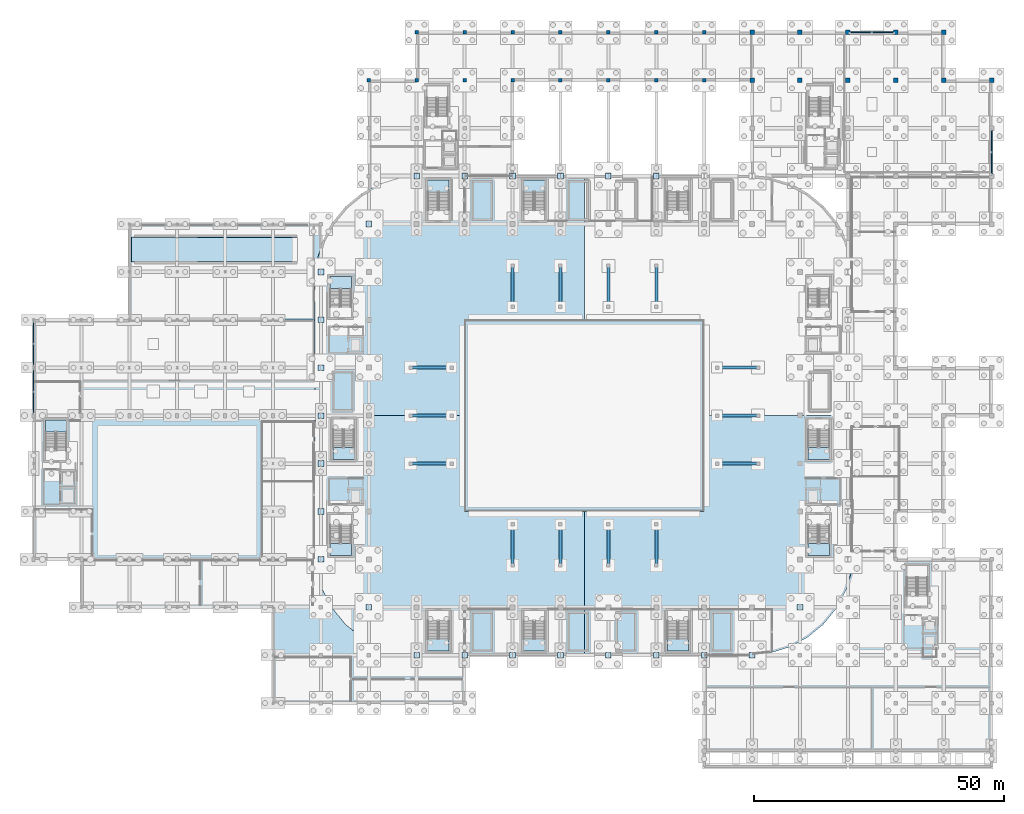
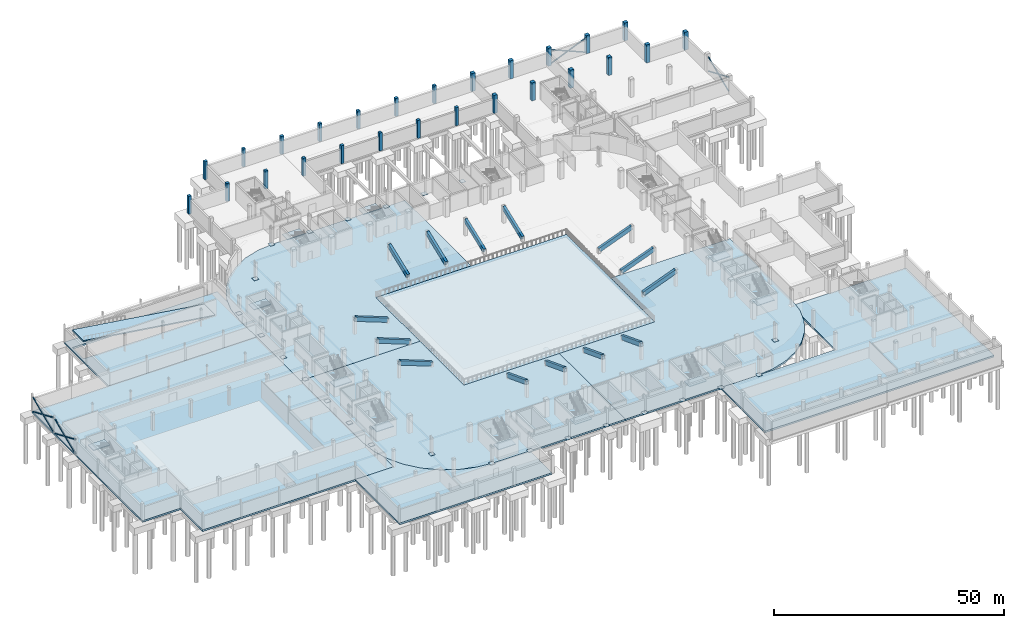
# One storey, part 22 of 67: 26 columns, 24 plates, 20 slabs, 14 beams, 12 members, 11 elements without a shape of their own.
"""IFC4 building model written with IfcOpenShell, lengths in metres."""

from ifc_helpers import new_model, si_unit, direction, frame, origin, origin_2d, place, context, subcontext, project, spatial, polyline, rectangle, hollow_rectangle, outline, extrude, material, layer, layer_set, material_profile, profile_set, type_object, element, aggregate, save


model = new_model("IFC4")

# Units and contexts
model_context = context("Model", 3, precision=1e-05, world=origin(), true_north=direction((0.0, 1.0)))
body_context = subcontext(model_context, "Body", "Model", "MODEL_VIEW")
ifc_project = project(units=[si_unit("LENGTHUNIT", "METRE"), si_unit("AREAUNIT", "SQUARE_METRE"), si_unit("VOLUMEUNIT", "CUBIC_METRE"), si_unit("PLANEANGLEUNIT", "RADIAN"), si_unit("MASSUNIT", "GRAM", prefix="KILO")], contexts=[model_context])

# Site, building, storey
site_placement = place(None, origin())
site = spatial("IfcSite", under=ifc_project, at=site_placement, CompositionType="ELEMENT")
building_placement = place(site_placement, origin())
building = spatial("IfcBuilding", under=site, at=building_placement, Name="Caelomonte Colonnade Arena", CompositionType="ELEMENT")
storey_placement = place(building_placement, frame((0.0, 0.0, -4.800048828125)))
storey = spatial("IfcBuildingStorey", under=building, at=storey_placement, Name="B1", CompositionType="ELEMENT", Elevation=-4.800048828125)

# Columns
ifc_material_1 = material(Name="Concrete C40/50", Category="concrete")
ifc_material_profile_1 = material_profile(ifc_material_1, rectangle(XDim=0.699951171875, YDim=0.699951171875, at=origin_2d()), Name="RC700X700")
ifc_profile_set_1 = profile_set([ifc_material_profile_1], Name="Concrete C40/50")
column_type_1 = type_object("IfcColumnType", Name="STR-COL-RC07", PredefinedType="COLUMN", material=ifc_profile_set_1)
for number, where, z_axis, x_axis, name in (
    (1, (67.199951171875, 134.39990234375, 0.0), (0.0, 0.0, 1.0), (1.0, 0.0, 0.0), "B1 column (67.2, 134.4)"),
    (2, (76.800048828125, 134.39990234375, 0.0), (0.0, 0.0, 1.0), (1.0, 0.0, 0.0), "B1 column (76.8, 134.4)"),
    (3, (76.800048828125, 144.0, 0.0), (0.0, 0.0, 1.0), (1.0, 0.0, 0.0), "B1 column (76.8, 144.0)"),
    (4, (86.39990234375, 134.39990234375, 0.0), (0.0, 0.0, 1.0), (1.0, 0.0, 0.0), "B1 column (86.4, 134.4)"),
    (5, (86.39990234375, 144.0, 0.0), (0.0, 0.0, 1.0), (1.0, 0.0, 0.0), "B1 column (86.4, 144.0)"),
    (6, (96.0, 134.39990234375, 0.0), (0.0, 0.0, 1.0), (1.0, 0.0, 0.0), "B1 column (96.0, 134.4)"),
    (7, (96.0, 144.0, 0.0), (0.0, 0.0, 1.0), (1.0, 0.0, 0.0), "B1 column (96.0, 144.0)"),
    (8, (105.60009765625, 134.39990234375, 0.0), (0.0, 0.0, 1.0), (1.0, 0.0, 0.0), "B1 column (105.6, 134.4)"),
    (9, (105.60009765625, 144.0, 0.0), (0.0, 0.0, 1.0), (1.0, 0.0, 0.0), "B1 column (105.6, 144.0)"),
    (10, (115.199951171875, 134.39990234375, 0.0), (0.0, 0.0, 1.0), (1.0, 0.0, 0.0), "B1 column (115.2, 134.4)"),
    (11, (115.199951171875, 144.0, 0.0), (0.0, 0.0, 1.0), (1.0, 0.0, 0.0), "B1 column (115.2, 144.0)"),
    (12, (124.800048828125, 134.39990234375, 0.0), (0.0, 0.0, 1.0), (1.0, 0.0, 0.0), "B1 column (124.8, 134.4)"),
    (13, (124.800048828125, 144.0, 0.0), (0.0, 0.0, 1.0), (1.0, 0.0, 0.0), "B1 column (124.8, 144.0)"),
    (14, (134.39990234375, 134.39990234375, 0.0), (0.0, 0.0, 1.0), (1.0, 0.0, 0.0), "B1 column (134.4, 134.4)"),
    (15, (134.39990234375, 144.0, 0.0), (0.0, 0.0, 1.0), (1.0, 0.0, 0.0), "B1 column (134.4, 144.0)"),
):
    element("IfcColumn", number, at=place(storey_placement, frame(where, z_axis=z_axis, x_axis=x_axis)), inside=storey, type_object=column_type_1, Name=name, PredefinedType="COLUMN", context=body_context, shape_type="SweptSolid", body=[
        extrude(rectangle(XDim=0.699951171875, YDim=0.699951171875, at=origin_2d()), origin(), (0.0, 0.0, 1.0), 4.800048828125),
    ])
ifc_material_2 = material(Name="Concrete C50/60", Category="concrete")
ifc_material_profile_2 = material_profile(ifc_material_2, rectangle(XDim=0.89990234375, YDim=0.89990234375, at=origin_2d()), Name="RC900X900")
ifc_profile_set_2 = profile_set([ifc_material_profile_2], Name="Concrete C50/60")
column_type_2 = type_object("IfcColumnType", Name="STR-COL-RC09", PredefinedType="COLUMN", material=ifc_profile_set_2)
for number, where, z_axis, x_axis, name in (
    (16, (144.0, 134.39990234375, 0.0), (0.0, 0.0, 1.0), (1.0, 0.0, 0.0), "B1 column (144.0, 134.4)"),
    (17, (144.0, 144.0, 0.0), (0.0, 0.0, 1.0), (1.0, 0.0, 0.0), "B1 column (144.0, 144.0)"),
    (18, (153.60009765625, 134.39990234375, 0.0), (0.0, 0.0, 1.0), (1.0, 0.0, 0.0), "B1 column (153.6, 134.4)"),
    (19, (153.60009765625, 144.0, 0.0), (0.0, 0.0, 1.0), (1.0, 0.0, 0.0), "B1 column (153.6, 144.0)"),
    (20, (163.199951171875, 134.39990234375, 0.0), (0.0, 0.0, 1.0), (1.0, 0.0, 0.0), "B1 column (163.2, 134.4)"),
    (21, (163.199951171875, 144.0, 0.0), (0.0, 0.0, 1.0), (1.0, 0.0, 0.0), "B1 column (163.2, 144.0)"),
    (22, (172.800048828125, 134.39990234375, 0.0), (0.0, 0.0, 1.0), (1.0, 0.0, 0.0), "B1 column (172.8, 134.4)"),
    (23, (172.800048828125, 144.0, 0.0), (0.0, 0.0, 1.0), (1.0, 0.0, 0.0), "B1 column (172.8, 144.0)"),
    (24, (182.39990234375, 134.39990234375, 0.0), (0.0, 0.0, 1.0), (1.0, 0.0, 0.0), "B1 column (182.4, 134.4)"),
    (25, (182.39990234375, 144.0, 0.0), (0.0, 0.0, 1.0), (1.0, 0.0, 0.0), "B1 column (182.4, 144.0)"),
    (26, (192.0, 134.39990234375, 0.0), (0.0, 0.0, 1.0), (1.0, 0.0, 0.0), "B1 column (192.0, 134.4)"),
):
    element("IfcColumn", number, at=place(storey_placement, frame(where, z_axis=z_axis, x_axis=x_axis)), inside=storey, type_object=column_type_2, Name=name, PredefinedType="COLUMN", context=body_context, shape_type="SweptSolid", body=[
        extrude(rectangle(XDim=0.89990234375, YDim=0.89990234375, at=origin_2d()), origin(), (0.0, 0.0, 1.0), 4.800048828125),
    ])

# Members
ifc_material_3 = material(Name="Steel ASTM A500 Grade C", Category="steel")
ifc_material_profile_3 = material_profile(ifc_material_3, hollow_rectangle(XDim=0.25390625, YDim=0.25390625, WallThickness=0.0126953125, InnerFilletRadius=0.0126953125, OuterFilletRadius=0.025390625, at=origin_2d()), Name="HSS254X254X12.7")
ifc_profile_set_3 = profile_set([ifc_material_profile_3], Name="Steel ASTM A500 Grade C")
member_type = type_object("IfcMemberType", Name="STR-BF-DIAG1", PredefinedType="BRACE", material=ifc_profile_set_3)
member_1_placement = place(storey_placement, frame((0.0, 67.563720703125, 0.16162109375), z_axis=(0.0, 0.920106108092, 0.3916691842), x_axis=(-1.0, 0.0, 0.0)))
element("IfcMember", 27, at=member_1_placement, inside=storey, type_object=member_type, Name="Braced frame BF1 B1 continuous diagonal A", PredefinedType="BRACE", context=body_context, shape_type="SweptSolid", body=[
    extrude(hollow_rectangle(XDim=0.25390625, YDim=0.25390625, WallThickness=0.0126953125, InnerFilletRadius=0.0126953125, OuterFilletRadius=0.025390625, at=origin_2d()), origin(), (0.0, 0.0, 1.0), 9.64306640625),
])
for number, where, z_axis, x_axis, name in (
    (28, (0.0, 76.436279296875, 0.16162109375), (0.0, -0.920104801315, 0.391672254055), (1.0, 0.0, 0.0), "Braced frame BF1 B1 split diagonal B1"),
    (29, (0.0, 71.84912109375, 2.1142578125), (0.0, -0.920104801315, 0.391672254055), (1.0, 0.0, 0.0), "Braced frame BF1 B1 split diagonal B2"),
):
    element("IfcMember", number, at=place(storey_placement, frame(where, z_axis=z_axis, x_axis=x_axis)), inside=storey, type_object=member_type, Name=name, PredefinedType="BRACE", context=body_context, shape_type="SweptSolid", body=[
        extrude(hollow_rectangle(XDim=0.25390625, YDim=0.25390625, WallThickness=0.0126953125, InnerFilletRadius=0.0126953125, OuterFilletRadius=0.025390625, at=origin_2d()), origin(), (0.0, 0.0, 1.0), 4.657470703125),
    ])
member_2_placement = place(storey_placement, frame((0.0, 77.163818359375, 0.16162109375), z_axis=(0.0, 0.920106108092, 0.3916691842), x_axis=(-1.0, 0.0, 0.0)))
element("IfcMember", 30, at=member_2_placement, inside=storey, type_object=member_type, Name="Braced frame BF2 B1 continuous diagonal A", PredefinedType="BRACE", context=body_context, shape_type="SweptSolid", body=[
    extrude(hollow_rectangle(XDim=0.25390625, YDim=0.25390625, WallThickness=0.0126953125, InnerFilletRadius=0.0126953125, OuterFilletRadius=0.025390625, at=origin_2d()), origin(), (0.0, 0.0, 1.0), 9.64306640625),
])
for number, where, z_axis, x_axis, name in (
    (31, (0.0, 86.036376953125, 0.16162109375), (0.0, -0.920104801315, 0.391672254055), (1.0, 0.0, 0.0), "Braced frame BF2 B1 split diagonal B1"),
    (32, (0.0, 81.44921875, 2.1142578125), (0.0, -0.920104801315, 0.391672254055), (1.0, 0.0, 0.0), "Braced frame BF2 B1 split diagonal B2"),
):
    element("IfcMember", number, at=place(storey_placement, frame(where, z_axis=z_axis, x_axis=x_axis)), inside=storey, type_object=member_type, Name=name, PredefinedType="BRACE", context=body_context, shape_type="SweptSolid", body=[
        extrude(hollow_rectangle(XDim=0.25390625, YDim=0.25390625, WallThickness=0.0126953125, InnerFilletRadius=0.0126953125, OuterFilletRadius=0.025390625, at=origin_2d()), origin(), (0.0, 0.0, 1.0), 4.657470703125),
    ])
member_3_placement = place(storey_placement, frame((163.563720703125, 144.0, 0.16162109375), z_axis=(0.920106108092, 0.0, 0.3916691842), x_axis=(0.0, 1.0, 0.0)))
element("IfcMember", 33, at=member_3_placement, inside=storey, type_object=member_type, Name="Braced frame BF3 B1 continuous diagonal A", PredefinedType="BRACE", context=body_context, shape_type="SweptSolid", body=[
    extrude(hollow_rectangle(XDim=0.25390625, YDim=0.25390625, WallThickness=0.0126953125, InnerFilletRadius=0.0126953125, OuterFilletRadius=0.025390625, at=origin_2d()), origin(), (0.0, 0.0, 1.0), 9.64306640625),
])
for number, where, z_axis, x_axis, name in (
    (34, (172.436279296875, 144.0, 0.16162109375), (-0.920104801315, 0.0, 0.391672254055), (0.0, -1.0, 0.0), "Braced frame BF3 B1 split diagonal B1"),
    (35, (167.84912109375, 144.0, 2.1142578125), (-0.920104801315, 0.0, 0.391672254055), (0.0, -1.0, 0.0), "Braced frame BF3 B1 split diagonal B2"),
):
    element("IfcMember", number, at=place(storey_placement, frame(where, z_axis=z_axis, x_axis=x_axis)), inside=storey, type_object=member_type, Name=name, PredefinedType="BRACE", context=body_context, shape_type="SweptSolid", body=[
        extrude(hollow_rectangle(XDim=0.25390625, YDim=0.25390625, WallThickness=0.0126953125, InnerFilletRadius=0.0126953125, OuterFilletRadius=0.025390625, at=origin_2d()), origin(), (0.0, 0.0, 1.0), 4.657470703125),
    ])
member_4_placement = place(storey_placement, frame((192.0, 115.563720703125, 0.16162109375), z_axis=(0.0, 0.920106108092, 0.3916691842), x_axis=(-1.0, 0.0, 0.0)))
element("IfcMember", 36, at=member_4_placement, inside=storey, type_object=member_type, Name="Braced frame BF4 B1 continuous diagonal A", PredefinedType="BRACE", context=body_context, shape_type="SweptSolid", body=[
    extrude(hollow_rectangle(XDim=0.25390625, YDim=0.25390625, WallThickness=0.0126953125, InnerFilletRadius=0.0126953125, OuterFilletRadius=0.025390625, at=origin_2d()), origin(), (0.0, 0.0, 1.0), 9.64306640625),
])
for number, where, z_axis, x_axis, name in (
    (37, (192.0, 124.436279296875, 0.16162109375), (0.0, -0.920104801315, 0.391672254055), (1.0, 0.0, 0.0), "Braced frame BF4 B1 split diagonal B1"),
    (38, (192.0, 119.84912109375, 2.1142578125), (0.0, -0.920104801315, 0.391672254055), (1.0, 0.0, 0.0), "Braced frame BF4 B1 split diagonal B2"),
):
    element("IfcMember", number, at=place(storey_placement, frame(where, z_axis=z_axis, x_axis=x_axis)), inside=storey, type_object=member_type, Name=name, PredefinedType="BRACE", context=body_context, shape_type="SweptSolid", body=[
        extrude(hollow_rectangle(XDim=0.25390625, YDim=0.25390625, WallThickness=0.0126953125, InnerFilletRadius=0.0126953125, OuterFilletRadius=0.025390625, at=origin_2d()), origin(), (0.0, 0.0, 1.0), 4.657470703125),
    ])

# Beams
ifc_material_profile_4 = material_profile(ifc_material_2, rectangle(XDim=0.60009765625, YDim=1.10009765625, at=origin_2d()), Name="RC600X1100")
ifc_profile_set_4 = profile_set([ifc_material_profile_4], Name="Concrete C50/60")
beam_type = type_object("IfcBeamType", Name="STR-BM-RKL", PredefinedType="USERDEFINED", material=ifc_profile_set_4)
for number, where, z_axis, x_axis, name in (
    (39, (96.0, 45.39990234375, 0.85009765625), (0.0, -0.933495236635, 0.35858979793), (1.0, 0.0, 0.0), "Lower bowl inner raker girder S-96"),
    (40, (96.0, 89.0, 0.85009765625), (0.0, 0.933495236635, 0.35858979793), (-1.0, 0.0, 0.0), "Lower bowl inner raker girder N-96"),
    (41, (105.60009765625, 45.39990234375, 0.85009765625), (0.0, -0.933495236635, 0.35858979793), (1.0, 0.0, 0.0), "Lower bowl inner raker girder S-105"),
    (42, (105.60009765625, 89.0, 0.85009765625), (0.0, 0.933495236635, 0.35858979793), (-1.0, 0.0, 0.0), "Lower bowl inner raker girder N-105"),
    (43, (115.199951171875, 45.39990234375, 0.85009765625), (0.0, -0.933495236635, 0.35858979793), (1.0, 0.0, 0.0), "Lower bowl inner raker girder S-115"),
    (44, (115.199951171875, 89.0, 0.85009765625), (0.0, 0.933495236635, 0.35858979793), (-1.0, 0.0, 0.0), "Lower bowl inner raker girder N-115"),
    (45, (124.800048828125, 45.39990234375, 0.85009765625), (0.0, -0.933495236635, 0.35858979793), (1.0, 0.0, 0.0), "Lower bowl inner raker girder S-124"),
    (46, (124.800048828125, 89.0, 0.85009765625), (0.0, 0.933495236635, 0.35858979793), (-1.0, 0.0, 0.0), "Lower bowl inner raker girder N-124"),
    (47, (83.800048828125, 57.60009765625, 0.85009765625), (-0.933495236635, 0.0, 0.35858979793), (0.0, -1.0, 0.0), "Lower bowl inner raker girder W-57"),
    (48, (137.0, 57.60009765625, 0.85009765625), (0.933495236635, 0.0, 0.35858979793), (0.0, 1.0, 0.0), "Lower bowl inner raker girder E-57"),
    (49, (83.800048828125, 67.199951171875, 0.85009765625), (-0.933495236635, 0.0, 0.35858979793), (0.0, -1.0, 0.0), "Lower bowl inner raker girder W-67"),
    (50, (137.0, 67.199951171875, 0.85009765625), (0.933495236635, 0.0, 0.35858979793), (0.0, 1.0, 0.0), "Lower bowl inner raker girder E-67"),
    (51, (83.800048828125, 76.800048828125, 0.85009765625), (-0.933495236635, 0.0, 0.35858979793), (0.0, -1.0, 0.0), "Lower bowl inner raker girder W-76"),
    (52, (137.0, 76.800048828125, 0.85009765625), (0.933495236635, 0.0, 0.35858979793), (0.0, 1.0, 0.0), "Lower bowl inner raker girder E-76"),
):
    element("IfcBeam", number, at=place(storey_placement, frame(where, z_axis=z_axis, x_axis=x_axis)), inside=storey, type_object=beam_type, Name=name, ObjectType="RAKER", PredefinedType="USERDEFINED", context=body_context, shape_type="SweptSolid", body=[
        extrude(rectangle(XDim=0.60009765625, YDim=1.10009765625, at=origin_2d()), origin(), (0.0, 0.0, 1.0), 8.7841796875),
    ])

# Stair, slab
stair_type_1 = type_object("IfcStairType", Name="INT-ST-WING48", PredefinedType="HALF_TURN_STAIR", material=ifc_material_1)
stair_1_placement = place(storey_placement, origin())
stair_1 = element("IfcStair", 53, at=stair_1_placement, inside=storey, type_object=stair_type_1, Name="B1 Core C1 exit stair ST-01", PredefinedType="HALF_TURN_STAIR")
ifc_layer_1 = layer(ifc_material_1, 0.199951171875)
ifc_layer_set_1 = layer_set([ifc_layer_1], Name="Concrete C40/50")
slab_type_1 = type_object("IfcSlabType", Name="INT-SL-LAND20", PredefinedType="LANDING", material=ifc_layer_set_1)
slab_1_placement = place(storey_placement, frame((0.0, 0.0, 2.199951171875)))
slab_1 = element("IfcSlab", 54, at=slab_1_placement, type_object=slab_type_1, Name="ST-01 landing 1", PredefinedType="LANDING", context=body_context, shape_type="SweptSolid", body=[
    extrude(outline(polyline([(59.39990234375, 41.594970703125), (59.39990234375, 39.199951171875), (63.699951171875, 39.199951171875), (63.699951171875, 41.594970703125), (59.39990234375, 41.594970703125)])), origin(), (0.0, 0.0, 1.0), 0.2001953125),
])
aggregate(stair_1, [slab_1])

stair_2_placement = place(storey_placement, origin())
stair_2 = element("IfcStair", 55, at=stair_2_placement, inside=storey, type_object=stair_type_1, Name="B1 Core C4 exit stair ST-04", PredefinedType="HALF_TURN_STAIR")
slab_2_placement = place(storey_placement, frame((0.0, 0.0, 2.199951171875)))
slab_2 = element("IfcSlab", 56, at=slab_2_placement, type_object=slab_type_1, Name="ST-04 landing 1", PredefinedType="LANDING", context=body_context, shape_type="SweptSolid", body=[
    extrude(outline(polyline([(63.699951171875, 92.655029296875), (63.699951171875, 95.050048828125), (59.39990234375, 95.050048828125), (59.39990234375, 92.655029296875), (63.699951171875, 92.655029296875)])), origin(), (0.0, 0.0, 1.0), 0.2001953125),
])
aggregate(stair_2, [slab_2])

stair_3_placement = place(storey_placement, origin())
stair_3 = element("IfcStair", 57, at=stair_3_placement, inside=storey, type_object=stair_type_1, Name="B1 Core C2 exit stair ST-02", PredefinedType="HALF_TURN_STAIR")
slab_3_placement = place(storey_placement, frame((0.0, 0.0, 2.199951171875)))
slab_3 = element("IfcSlab", 58, at=slab_3_placement, type_object=slab_type_1, Name="ST-02 landing 1", PredefinedType="LANDING", context=body_context, shape_type="SweptSolid", body=[
    extrude(outline(polyline([(155.199951171875, 41.594970703125), (155.199951171875, 39.199951171875), (159.5, 39.199951171875), (159.5, 41.594970703125), (155.199951171875, 41.594970703125)])), origin(), (0.0, 0.0, 1.0), 0.2001953125),
])
aggregate(stair_3, [slab_3])

stair_4_placement = place(storey_placement, origin())
stair_4 = element("IfcStair", 59, at=stair_4_placement, inside=storey, type_object=stair_type_1, Name="B1 Core C8 exit stair ST-08", PredefinedType="HALF_TURN_STAIR")
slab_4_placement = place(storey_placement, frame((0.0, 0.0, 2.199951171875)))
slab_4 = element("IfcSlab", 60, at=slab_4_placement, type_object=slab_type_1, Name="ST-08 landing 1", PredefinedType="LANDING", context=body_context, shape_type="SweptSolid", body=[
    extrude(outline(polyline([(6.60009765625, 63.905029296875), (6.60009765625, 66.35009765625), (2.39990234375, 66.35009765625), (2.39990234375, 63.905029296875), (6.60009765625, 63.905029296875)])), origin(), (0.0, 0.0, 1.0), 0.2001953125),
])
aggregate(stair_4, [slab_4])

stair_type_2 = type_object("IfcStairType", Name="INT-ST-CORE48", PredefinedType="HALF_TURN_STAIR", material=ifc_material_1)
stair_5_placement = place(storey_placement, origin())
stair_5 = element("IfcStair", 61, at=stair_5_placement, inside=storey, type_object=stair_type_2, Name="B1 Protected exit stair ST-09", PredefinedType="HALF_TURN_STAIR")
slab_5_placement = place(storey_placement, frame((0.0, 0.0, 2.199951171875)))
slab_5 = element("IfcSlab", 62, at=slab_5_placement, type_object=slab_type_1, Name="ST-09 landing 1", PredefinedType="LANDING", context=body_context, shape_type="SweptSolid", body=[
    extrude(outline(polyline([(60.0, 60.794921875), (60.0, 58.39990234375), (64.300048828125, 58.39990234375), (64.300048828125, 60.794921875), (60.0, 60.794921875)])), origin(), (0.0, 0.0, 1.0), 0.2001953125),
])
aggregate(stair_5, [slab_5])

stair_6_placement = place(storey_placement, origin())
stair_6 = element("IfcStair", 63, at=stair_6_placement, inside=storey, type_object=stair_type_2, Name="B1 Protected exit stair ST-10", PredefinedType="HALF_TURN_STAIR")
slab_6_placement = place(storey_placement, frame((0.0, 0.0, 2.199951171875)))
slab_6 = element("IfcSlab", 64, at=slab_6_placement, type_object=slab_type_1, Name="ST-10 landing 1", PredefinedType="LANDING", context=body_context, shape_type="SweptSolid", body=[
    extrude(outline(polyline([(155.199951171875, 60.794921875), (155.199951171875, 58.39990234375), (159.5, 58.39990234375), (159.5, 60.794921875), (155.199951171875, 60.794921875)])), origin(), (0.0, 0.0, 1.0), 0.2001953125),
])
aggregate(stair_6, [slab_6])

stair_7_placement = place(storey_placement, origin())
stair_7 = element("IfcStair", 65, at=stair_7_placement, inside=storey, type_object=stair_type_2, Name="B1 Protected exit stair ST-11", PredefinedType="HALF_TURN_STAIR")
slab_7_placement = place(storey_placement, frame((0.0, 0.0, 2.199951171875)))
slab_7 = element("IfcSlab", 66, at=slab_7_placement, type_object=slab_type_1, Name="ST-11 landing 1", PredefinedType="LANDING", context=body_context, shape_type="SweptSolid", body=[
    extrude(outline(polyline([(79.0, 22.39501953125), (79.0, 20.0), (83.300048828125, 20.0), (83.300048828125, 22.39501953125), (79.0, 22.39501953125)])), origin(), (0.0, 0.0, 1.0), 0.2001953125),
])
aggregate(stair_7, [slab_7])

stair_8_placement = place(storey_placement, origin())
stair_8 = element("IfcStair", 67, at=stair_8_placement, inside=storey, type_object=stair_type_2, Name="B1 Protected exit stair ST-12", PredefinedType="HALF_TURN_STAIR")
slab_8_placement = place(storey_placement, frame((0.0, 0.0, 2.199951171875)))
slab_8 = element("IfcSlab", 68, at=slab_8_placement, type_object=slab_type_1, Name="ST-12 landing 1", PredefinedType="LANDING", context=body_context, shape_type="SweptSolid", body=[
    extrude(outline(polyline([(98.199951171875, 22.39501953125), (98.199951171875, 20.0), (102.5, 20.0), (102.5, 22.39501953125), (98.199951171875, 22.39501953125)])), origin(), (0.0, 0.0, 1.0), 0.2001953125),
])
aggregate(stair_8, [slab_8])

stair_9_placement = place(storey_placement, origin())
stair_9 = element("IfcStair", 69, at=stair_9_placement, inside=storey, type_object=stair_type_2, Name="B1 Protected exit stair ST-13", PredefinedType="HALF_TURN_STAIR")
slab_9_placement = place(storey_placement, frame((0.0, 0.0, 2.199951171875)))
slab_9 = element("IfcSlab", 70, at=slab_9_placement, type_object=slab_type_1, Name="ST-13 landing 1", PredefinedType="LANDING", context=body_context, shape_type="SweptSolid", body=[
    extrude(outline(polyline([(127.0, 22.39501953125), (127.0, 20.0), (131.300048828125, 20.0), (131.300048828125, 22.39501953125), (127.0, 22.39501953125)])), origin(), (0.0, 0.0, 1.0), 0.2001953125),
])
aggregate(stair_9, [slab_9])

stair_10_placement = place(storey_placement, origin())
stair_10 = element("IfcStair", 71, at=stair_10_placement, inside=storey, type_object=stair_type_2, Name="B1 Protected exit stair ST-14", PredefinedType="HALF_TURN_STAIR")
slab_10_placement = place(storey_placement, frame((0.0, 0.0, 2.199951171875)))
slab_10 = element("IfcSlab", 72, at=slab_10_placement, type_object=slab_type_1, Name="ST-14 landing 1", PredefinedType="LANDING", context=body_context, shape_type="SweptSolid", body=[
    extrude(outline(polyline([(83.300048828125, 112.054931640625), (83.300048828125, 114.449951171875), (79.0, 114.449951171875), (79.0, 112.054931640625), (83.300048828125, 112.054931640625)])), origin(), (0.0, 0.0, 1.0), 0.2001953125),
])
aggregate(stair_10, [slab_10])

stair_11_placement = place(storey_placement, origin())
stair_11 = element("IfcStair", 73, at=stair_11_placement, inside=storey, type_object=stair_type_2, Name="B1 Protected exit stair ST-15", PredefinedType="HALF_TURN_STAIR")
slab_11_placement = place(storey_placement, frame((0.0, 0.0, 2.199951171875)))
slab_11 = element("IfcSlab", 74, at=slab_11_placement, type_object=slab_type_1, Name="ST-15 landing 1", PredefinedType="LANDING", context=body_context, shape_type="SweptSolid", body=[
    extrude(outline(polyline([(102.5, 112.054931640625), (102.5, 114.449951171875), (98.199951171875, 114.449951171875), (98.199951171875, 112.054931640625), (102.5, 112.054931640625)])), origin(), (0.0, 0.0, 1.0), 0.2001953125),
])
aggregate(stair_11, [slab_11])

# Plates
ifc_material_4 = material(Name="Steel ASTM A572 Grade 50", Category="steel")
ifc_layer_2 = layer(ifc_material_4, 0.050048828125)
ifc_layer_set_2 = layer_set([ifc_layer_2], Name="Steel ASTM A572 Grade 50")
plate_type = type_object("IfcPlateType", Name="STR-PL-BP01", PredefinedType="USERDEFINED", material=ifc_layer_set_2)
for number, where, z_axis, x_axis, name in (
    (75, (57.60009765625, 38.39990234375, 0.0), (0.0, 0.0, 1.0), (1.0, 0.0, 0.0), "Steel column baseplate (57.6, 38.4)"),
    (76, (57.60009765625, 48.0, 0.0), (0.0, 0.0, 1.0), (1.0, 0.0, 0.0), "Steel column baseplate (57.6, 48.0)"),
    (77, (57.60009765625, 57.60009765625, 0.0), (0.0, 0.0, 1.0), (1.0, 0.0, 0.0), "Steel column baseplate (57.6, 57.6)"),
    (78, (57.60009765625, 67.199951171875, 0.0), (0.0, 0.0, 1.0), (1.0, 0.0, 0.0), "Steel column baseplate (57.6, 67.2)"),
    (79, (57.60009765625, 76.800048828125, 0.0), (0.0, 0.0, 1.0), (1.0, 0.0, 0.0), "Steel column baseplate (57.6, 76.8)"),
    (80, (57.60009765625, 86.39990234375, 0.0), (0.0, 0.0, 1.0), (1.0, 0.0, 0.0), "Steel column baseplate (57.6, 86.4)"),
    (81, (57.60009765625, 96.0, 0.0), (0.0, 0.0, 1.0), (1.0, 0.0, 0.0), "Steel column baseplate (57.6, 96.0)"),
    (82, (67.199951171875, 28.800048828125, 0.0), (0.0, 0.0, 1.0), (1.0, 0.0, 0.0), "Steel column baseplate (67.2, 28.8)"),
    (83, (67.199951171875, 105.60009765625, 0.0), (0.0, 0.0, 1.0), (1.0, 0.0, 0.0), "Steel column baseplate (67.2, 105.6)"),
    (84, (76.800048828125, 19.199951171875, 0.0), (0.0, 0.0, 1.0), (1.0, 0.0, 0.0), "Steel column baseplate (76.8, 19.2)"),
    (85, (76.800048828125, 115.199951171875, 0.0), (0.0, 0.0, 1.0), (1.0, 0.0, 0.0), "Steel column baseplate (76.8, 115.2)"),
    (86, (86.39990234375, 19.199951171875, 0.0), (0.0, 0.0, 1.0), (1.0, 0.0, 0.0), "Steel column baseplate (86.4, 19.2)"),
    (87, (86.39990234375, 115.199951171875, 0.0), (0.0, 0.0, 1.0), (1.0, 0.0, 0.0), "Steel column baseplate (86.4, 115.2)"),
    (88, (96.0, 19.199951171875, 0.0), (0.0, 0.0, 1.0), (1.0, 0.0, 0.0), "Steel column baseplate (96.0, 19.2)"),
    (89, (96.0, 115.199951171875, 0.0), (0.0, 0.0, 1.0), (1.0, 0.0, 0.0), "Steel column baseplate (96.0, 115.2)"),
    (90, (105.60009765625, 19.199951171875, 0.0), (0.0, 0.0, 1.0), (1.0, 0.0, 0.0), "Steel column baseplate (105.6, 19.2)"),
    (91, (105.60009765625, 115.199951171875, 0.0), (0.0, 0.0, 1.0), (1.0, 0.0, 0.0), "Steel column baseplate (105.6, 115.2)"),
    (92, (115.199951171875, 19.199951171875, 0.0), (0.0, 0.0, 1.0), (1.0, 0.0, 0.0), "Steel column baseplate (115.2, 19.2)"),
    (93, (115.199951171875, 115.199951171875, 0.0), (0.0, 0.0, 1.0), (1.0, 0.0, 0.0), "Steel column baseplate (115.2, 115.2)"),
    (94, (124.800048828125, 19.199951171875, 0.0), (0.0, 0.0, 1.0), (1.0, 0.0, 0.0), "Steel column baseplate (124.8, 19.2)"),
    (95, (124.800048828125, 115.199951171875, 0.0), (0.0, 0.0, 1.0), (1.0, 0.0, 0.0), "Steel column baseplate (124.8, 115.2)"),
    (96, (134.39990234375, 19.199951171875, 0.0), (0.0, 0.0, 1.0), (1.0, 0.0, 0.0), "Steel column baseplate (134.4, 19.2)"),
    (97, (144.0, 19.199951171875, 0.0), (0.0, 0.0, 1.0), (1.0, 0.0, 0.0), "Steel column baseplate (144.0, 19.2)"),
    (98, (153.60009765625, 28.800048828125, 0.0), (0.0, 0.0, 1.0), (1.0, 0.0, 0.0), "Steel column baseplate (153.6, 28.8)"),
):
    element("IfcPlate", number, at=place(storey_placement, frame(where, z_axis=z_axis, x_axis=x_axis)), inside=storey, type_object=plate_type, Name=name, ObjectType="GUSSET PLATE", PredefinedType="USERDEFINED", context=body_context, shape_type="SweptSolid", body=[
        extrude(rectangle(XDim=1.14990234375, YDim=1.14990234375, at=origin_2d()), origin(), (0.0, 0.0, 1.0), 0.050048828125),
    ])

# Slabs
ifc_layer_3 = layer(ifc_material_1, 0.449951171875)
ifc_layer_set_3 = layer_set([ifc_layer_3], Name="Concrete C40/50")
slab_type_2 = type_object("IfcSlabType", Name="STR-SL-BASE45", PredefinedType="BASESLAB", material=ifc_layer_set_3)
slab_12_placement = place(storey_placement, frame((0.0, 0.0, -0.449951171875)))
element("IfcSlab", 99, at=slab_12_placement, inside=storey, type_object=slab_type_2, Name="B1 structural baseslab slab SL-B1-V1-EV", PredefinedType="BASESLAB", context=body_context, shape_type="SweptSolid", body=[
    extrude(outline(polyline([(134.39990234375, 48.0), (134.39990234375, 86.39990234375), (86.39990234375, 86.39990234375), (86.39990234375, 48.0), (134.39990234375, 48.0)])), origin(), (0.0, 0.0, 1.0), 0.449951171875),
])
slab_13_placement = place(storey_placement, frame((0.0, 0.0, -0.449951171875)))
element("IfcSlab", 100, at=slab_13_placement, inside=storey, type_object=slab_type_2, Name="B1 structural baseslab slab SL-B1-V1-SW", PredefinedType="BASESLAB", context=body_context, shape_type="SweptSolid", body=[
    extrude(outline(polyline([(73.302978515625, 19.603515625), (77.39990234375, 19.199951171875), (110.39990234375, 19.199951171875), (110.39990234375, 48.0), (86.39990234375, 48.0), (86.39990234375, 67.199951171875), (56.39990234375, 67.199951171875), (56.39990234375, 40.199951171875), (56.803466796875, 36.10302734375), (57.99853515625, 32.16357421875), (59.939208984375, 28.532958984375), (62.55078125, 25.350830078125), (65.73291015625, 22.739013671875), (69.363525390625, 20.798583984375), (73.302978515625, 19.603515625)])), origin(), (0.0, 0.0, 1.0), 0.449951171875),
])
slab_14_placement = place(storey_placement, frame((0.0, 0.0, -0.449951171875)))
element("IfcSlab", 101, at=slab_14_placement, inside=storey, type_object=slab_type_2, Name="B1 structural baseslab slab SL-B1-V1-SE", PredefinedType="BASESLAB", context=body_context, shape_type="SweptSolid", body=[
    extrude(outline(polyline([(164.39990234375, 40.199951171875), (164.39990234375, 67.199951171875), (134.39990234375, 67.199951171875), (134.39990234375, 48.0), (110.39990234375, 48.0), (110.39990234375, 19.199951171875), (143.39990234375, 19.199951171875), (147.496826171875, 19.603515625), (151.436279296875, 20.798583984375), (155.06689453125, 22.739013671875), (158.249267578125, 25.350830078125), (160.86083984375, 28.532958984375), (162.801513671875, 32.16357421875), (163.99658203125, 36.10302734375), (164.39990234375, 40.199951171875)])), origin(), (0.0, 0.0, 1.0), 0.449951171875),
])
slab_15_placement = place(storey_placement, frame((0.0, 0.0, -0.449951171875)))
element("IfcSlab", 102, at=slab_15_placement, inside=storey, type_object=slab_type_2, Name="B1 structural baseslab slab SL-B1-V1-NW", PredefinedType="BASESLAB", context=body_context, shape_type="SweptSolid", body=[
    extrude(outline(polyline([(56.39990234375, 94.199951171875), (56.39990234375, 67.199951171875), (86.39990234375, 67.199951171875), (86.39990234375, 86.39990234375), (110.39990234375, 86.39990234375), (110.39990234375, 115.199951171875), (77.39990234375, 115.199951171875), (73.302978515625, 114.79638671875), (69.363525390625, 113.6015625), (65.73291015625, 111.660888671875), (62.55078125, 109.04931640625), (59.939208984375, 105.866943359375), (57.99853515625, 102.236328125), (56.803466796875, 98.296875), (56.39990234375, 94.199951171875)])), origin(), (0.0, 0.0, 1.0), 0.449951171875),
])
slab_16_placement = place(storey_placement, frame((0.0, 0.0, -0.449951171875)))
element("IfcSlab", 103, at=slab_16_placement, inside=storey, type_object=slab_type_2, Name="B1 structural baseslab slab SL-B1-V3", PredefinedType="BASESLAB", context=body_context, shape_type="SweptSolid", body=[
    extrude(outline(polyline([(134.39990234375, 0.0), (192.0, 0.0), (192.0, 19.199951171875), (192.0, 38.39990234375), (164.22265625, 38.39990234375), (163.99658203125, 36.10302734375), (163.199951171875, 33.477294921875), (163.199951171875, 19.199951171875), (143.39990234375, 19.199951171875), (134.39990234375, 19.199951171875), (134.39990234375, 0.0)])), origin(), (0.0, 0.0, 1.0), 0.449951171875),
])
slab_17_placement = place(storey_placement, frame((0.0, 0.0, -0.449951171875)))
element("IfcSlab", 104, at=slab_17_placement, inside=storey, type_object=slab_type_2, Name="B1 structural baseslab slab SL-B1-V4-SW", PredefinedType="BASESLAB", context=body_context, shape_type="SweptSolid", body=[
    extrude(outline(polyline([(48.0, 9.60009765625), (86.39990234375, 9.60009765625), (86.39990234375, 19.199951171875), (77.39990234375, 19.199951171875), (73.302978515625, 19.603515625), (69.363525390625, 20.798583984375), (65.73291015625, 22.739013671875), (62.55078125, 25.350830078125), (59.939208984375, 28.532958984375), (57.99853515625, 32.16357421875), (57.60009765625, 33.477294921875), (57.60009765625, 28.800048828125), (48.0, 28.800048828125), (48.0, 9.60009765625)])), origin(), (0.0, 0.0, 1.0), 0.449951171875),
])
slab_18_placement = place(storey_placement, frame((0.0, 0.0, -0.449951171875)))
element("IfcSlab", 105, at=slab_18_placement, inside=storey, type_object=slab_type_2, Name="B1 structural baseslab slab SL-B1-V5-MAIN", PredefinedType="BASESLAB", context=body_context, shape_type="SweptSolid", body=[
    extrude(outline(polyline([(56.39990234375, 86.39990234375), (0.0, 86.39990234375), (0.0, 38.39990234375), (9.60009765625, 38.39990234375), (9.60009765625, 28.800048828125), (57.60009765625, 28.800048828125), (57.60009765625, 33.477294921875), (56.803466796875, 36.10302734375), (56.39990234375, 40.199951171875), (56.39990234375, 86.39990234375)])), origin(), (0.0, 0.0, 1.0), 0.449951171875),
])
slab_19_placement = place(storey_placement, frame((0.0, 0.0, -0.449951171875)))
element("IfcSlab", 106, at=slab_19_placement, inside=storey, type_object=slab_type_2, Name="B1 structural baseslab slab SL-B1-V5-DOCK", PredefinedType="BASESLAB", context=body_context, shape_type="SweptSolid", body=[
    extrude(outline(polyline([(19.199951171875, 86.39990234375), (56.39990234375, 86.39990234375), (56.39990234375, 94.199951171875), (56.803466796875, 98.296875), (57.60009765625, 100.922607421875), (57.60009765625, 105.60009765625), (19.199951171875, 105.60009765625), (19.199951171875, 86.39990234375)]), holes=[polyline([(52.780029296875, 98.080078125), (19.6201171875, 98.080078125), (19.6201171875, 102.919921875), (52.780029296875, 102.919921875), (52.780029296875, 98.080078125)])]), origin(), (0.0, 0.0, 1.0), 0.449951171875),
])
ifc_layer_4 = layer(ifc_material_1, 0.300048828125)
ifc_layer_set_4 = layer_set([ifc_layer_4], Name="Concrete C40/50")
slab_type_3 = type_object("IfcSlabType", Name="STR-SL-VRAMP30", PredefinedType="USERDEFINED", material=ifc_layer_set_4)
slab_20_placement = place(storey_placement, frame((52.800048828125, 98.10009765625, 0.0), z_axis=(0.143176743909, 0.0, 0.989697135493), x_axis=(0.0, 1.0, 0.0)))
element("IfcSlab", 107, at=slab_20_placement, inside=storey, type_object=slab_type_3, Name="Service vehicle ramp VR-01", ObjectType="RAMP", PredefinedType="USERDEFINED", context=body_context, shape_type="SweptSolid", body=[
    extrude(outline(polyline([(0.0, 0.0), (4.7998046875, 0.0), (4.7998046875, 33.52533866240478), (0.0, 33.52533866240478), (0.0, 0.0)])), origin(), (0.0, 0.0, -1.0), 0.300048828125),
])

save(model, "model.ifc")
